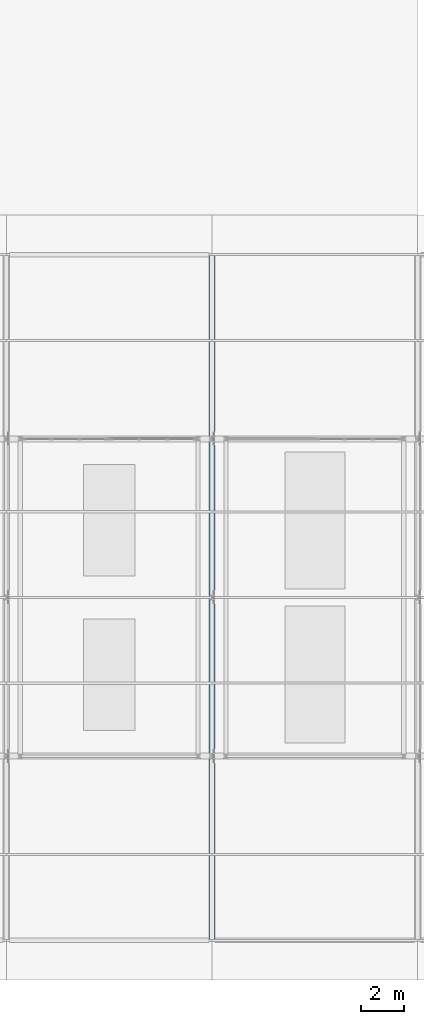
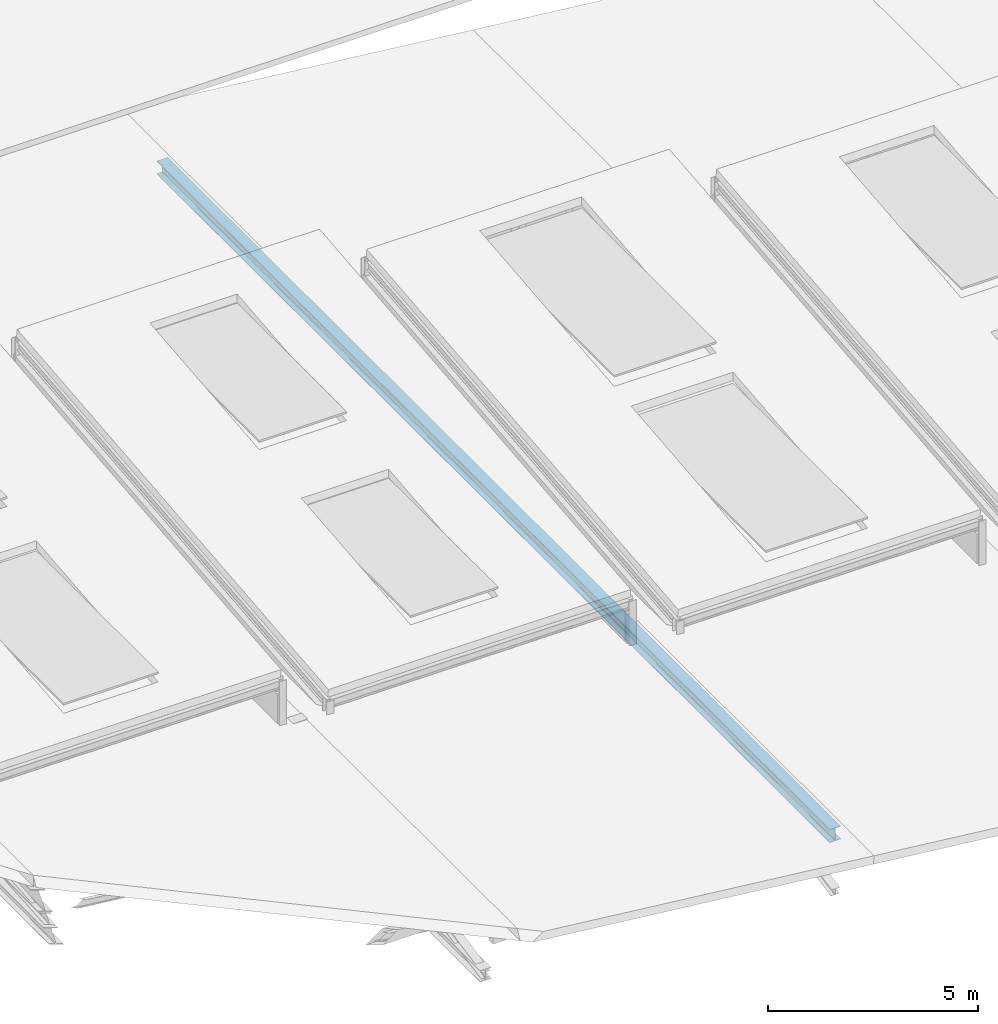
# One storey, part 13 of 30: 1 beam.
"""IFC4 building model written with IfcOpenShell, lengths in metres."""

from ifc_helpers import new_model, si_unit, direction, frame, origin, origin_2d, place, context, subcontext, project, spatial, i_section, extrude, material, material_profile, profile_set, type_object, element, save


model = new_model("IFC4")

# Units and contexts
model_context = context("Model", 3, precision=1e-05, world=origin(), true_north=direction((0.0, 1.0)))
body_context = subcontext(model_context, "Body", "Model", "MODEL_VIEW")
ifc_project = project(units=[si_unit("LENGTHUNIT", "METRE"), si_unit("AREAUNIT", "SQUARE_METRE"), si_unit("VOLUMEUNIT", "CUBIC_METRE"), si_unit("PLANEANGLEUNIT", "RADIAN"), si_unit("MASSUNIT", "GRAM", prefix="KILO")], contexts=[model_context])

# Site, building, storey
site_placement = place(None, origin())
site = spatial("IfcSite", under=ifc_project, at=site_placement, CompositionType="ELEMENT")
building_placement = place(site_placement, origin())
building = spatial("IfcBuilding", under=site, at=building_placement, Name="Alderhovde Museum", CompositionType="ELEMENT")
storey_placement = place(building_placement, frame((0.0, 0.0, 30.699951171875)))
storey = spatial("IfcBuildingStorey", under=building, at=storey_placement, Name="RF", CompositionType="ELEMENT", Elevation=30.699951171875)

# Beam
ifc_material = material(Name="Steel S355J2", Category="steel")
ifc_material_profile = material_profile(ifc_material, i_section(OverallWidth=0.300048828125, OverallDepth=0.389892578125, WebThickness=0.010986328125, FlangeThickness=0.01904296875, FilletRadius=0.027099609375, at=origin_2d()), Name="HEA 400")
ifc_profile_set = profile_set([ifc_material_profile], Name="Steel S355J2")
beam_type = type_object("IfcBeamType", Name="BM-HEA400", PredefinedType="BEAM", material=ifc_profile_set)
beam_placement = place(storey_placement, frame((38.39990234375, 48.0, -3.8466796875), z_axis=(0.0, 1.0, 0.0), x_axis=(-1.0, 0.0, 0.0)))
element("IfcBeam", 1, at=beam_placement, inside=storey, type_object=beam_type, Name="Sawtooth Roof Truss X=38.4 Continuous Top Chord", PredefinedType="BEAM", context=body_context, shape_type="SweptSolid", body=[
    extrude(i_section(OverallWidth=0.300048828125, OverallDepth=0.389892578125, WebThickness=0.010986328125, FlangeThickness=0.01904296875, FilletRadius=0.027099609375, at=origin_2d()), origin(), (0.0, 0.0, 1.0), 32.0),
])

save(model, "model.ifc")
